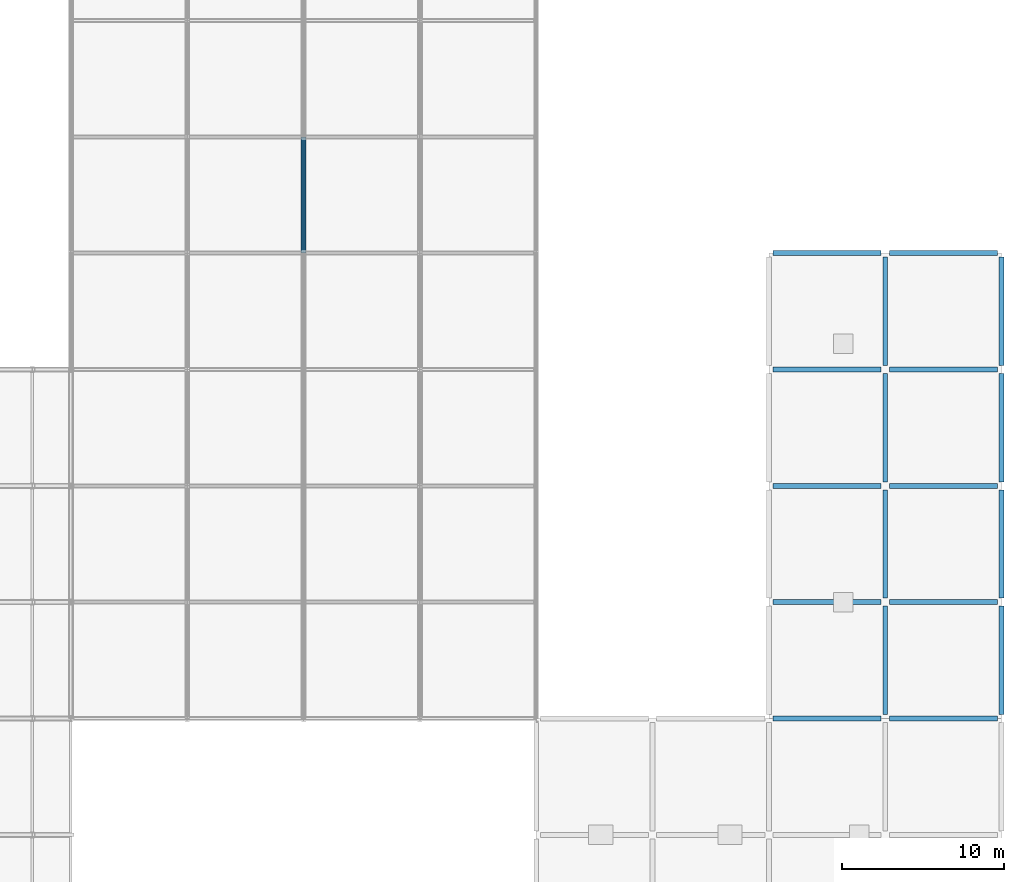
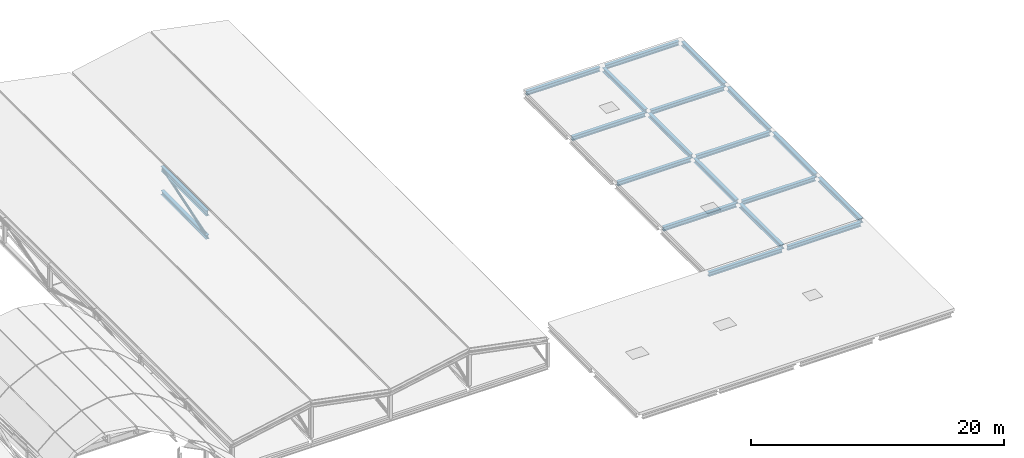
# One storey, part 40 of 60: 18 beams, 3 members.
"""IFC4 building model written with IfcOpenShell, lengths in metres."""

from ifc_helpers import new_model, si_unit, direction, frame, origin, origin_2d, place, context, subcontext, project, spatial, hollow_circle, i_section, extrude, material, material_profile, profile_set, type_object, element, save


model = new_model("IFC4")

# Units and contexts
model_context = context("Model", 3, precision=1e-05, world=origin(), true_north=direction((0.0, 1.0)))
body_context = subcontext(model_context, "Body", "Model", "MODEL_VIEW")
ifc_project = project(units=[si_unit("LENGTHUNIT", "METRE"), si_unit("AREAUNIT", "SQUARE_METRE"), si_unit("VOLUMEUNIT", "CUBIC_METRE"), si_unit("PLANEANGLEUNIT", "RADIAN"), si_unit("MASSUNIT", "GRAM", prefix="KILO")], contexts=[model_context])

# Site, building, storey
site_placement = place(None, origin())
site = spatial("IfcSite", under=ifc_project, at=site_placement, CompositionType="ELEMENT")
building_placement = place(site_placement, origin())
building = spatial("IfcBuilding", under=site, at=building_placement, Name="Vesperath Aquatics Centre", CompositionType="ELEMENT")
storey_placement = place(building_placement, frame((0.0, 0.0, 27.60009765625)))
storey = spatial("IfcBuildingStorey", under=building, at=storey_placement, Name="RF", CompositionType="ELEMENT", Elevation=27.60009765625)

# Beams
ifc_material_1 = material(Name="Steel Q355C", Category="steel")
ifc_material_profile_1 = material_profile(ifc_material_1, i_section(OverallWidth=0.300048828125, OverallDepth=0.389892578125, WebThickness=0.010009765625, FlangeThickness=0.01611328125, FilletRadius=0.02197265625, at=origin_2d()), Name="HM 390x300x10x16")
ifc_profile_set_1 = profile_set([ifc_material_profile_1], Name="Steel Q355C")
beam_type = type_object("IfcBeamType", Name="BM-RB01", PredefinedType="BEAM", material=ifc_profile_set_1)
for number, where, z_axis, x_axis, name in (
    (1, (158.64990234375, 64.800048828125, -8.755126953125), (1.0, 0.0, 0.0), (0.0, 1.0, 0.0), "Flat Roof Girder B11 RF K 23-24"),
    (2, (158.64990234375, 72.0, -8.755126953125), (1.0, 0.0, 0.0), (0.0, 1.0, 0.0), "Flat Roof Girder B11 RF L 23-24"),
    (3, (158.64990234375, 79.199951171875, -8.755126953125), (1.0, 0.0, 0.0), (0.0, 1.0, 0.0), "Flat Roof Girder B11 RF M 23-24"),
    (4, (158.64990234375, 86.39990234375, -8.755126953125), (1.0, 0.0, 0.0), (0.0, 1.0, 0.0), "Flat Roof Girder B11 RF N 23-24"),
    (5, (158.64990234375, 93.60009765625, -8.755126953125), (1.0, 0.0, 0.0), (0.0, 1.0, 0.0), "Flat Roof Girder B11 RF P 23-24"),
):
    element("IfcBeam", number, at=place(storey_placement, frame(where, z_axis=z_axis, x_axis=x_axis)), inside=storey, type_object=beam_type, Name=name, PredefinedType="BEAM", context=body_context, shape_type="SweptSolid", body=[
        extrude(i_section(OverallWidth=0.300048828125, OverallDepth=0.389892578125, WebThickness=0.010009765625, FlangeThickness=0.01611328125, FilletRadius=0.02197265625, at=origin_2d()), origin(), (0.0, 0.0, 1.0), 6.7001953125),
    ])
for number, where, z_axis, x_axis, name in (
    (6, (165.85009765625, 64.800048828125, -8.755126953125), (1.0, 0.0, 0.0), (0.0, 1.0, 0.0), "Flat Roof Girder B11 RF K 24-25"),
    (7, (165.85009765625, 72.0, -8.755126953125), (1.0, 0.0, 0.0), (0.0, 1.0, 0.0), "Flat Roof Girder B11 RF L 24-25"),
    (8, (165.85009765625, 79.199951171875, -8.755126953125), (1.0, 0.0, 0.0), (0.0, 1.0, 0.0), "Flat Roof Girder B11 RF M 24-25"),
    (9, (165.85009765625, 86.39990234375, -8.755126953125), (1.0, 0.0, 0.0), (0.0, 1.0, 0.0), "Flat Roof Girder B11 RF N 24-25"),
    (10, (165.85009765625, 93.60009765625, -8.755126953125), (1.0, 0.0, 0.0), (0.0, 1.0, 0.0), "Flat Roof Girder B11 RF P 24-25"),
    (11, (165.60009765625, 65.050048828125, -8.755126953125), (0.0, 1.0, 0.0), (-1.0, 0.0, 0.0), "Flat Roof Girder B11 RF 24 K-L"),
    (12, (165.60009765625, 72.25, -8.755126953125), (0.0, 1.0, 0.0), (-1.0, 0.0, 0.0), "Flat Roof Girder B11 RF 24 L-M"),
    (13, (165.60009765625, 79.449951171875, -8.755126953125), (0.0, 1.0, 0.0), (-1.0, 0.0, 0.0), "Flat Roof Girder B11 RF 24 M-N"),
):
    element("IfcBeam", number, at=place(storey_placement, frame(where, z_axis=z_axis, x_axis=x_axis)), inside=storey, type_object=beam_type, Name=name, PredefinedType="BEAM", context=body_context, shape_type="SweptSolid", body=[
        extrude(i_section(OverallWidth=0.300048828125, OverallDepth=0.389892578125, WebThickness=0.010009765625, FlangeThickness=0.01611328125, FilletRadius=0.02197265625, at=origin_2d()), origin(), (0.0, 0.0, 1.0), 6.699951171875),
    ])
beam_1_placement = place(storey_placement, frame((165.60009765625, 86.64990234375, -8.755126953125), z_axis=(0.0, 1.0, 0.0), x_axis=(-1.0, 0.0, 0.0)))
element("IfcBeam", 14, at=beam_1_placement, inside=storey, type_object=beam_type, Name="Flat Roof Girder B11 RF 24 N-P", PredefinedType="BEAM", context=body_context, shape_type="SweptSolid", body=[
    extrude(i_section(OverallWidth=0.300048828125, OverallDepth=0.389892578125, WebThickness=0.010009765625, FlangeThickness=0.01611328125, FilletRadius=0.02197265625, at=origin_2d()), origin(), (0.0, 0.0, 1.0), 6.7001953125),
])
for number, where, z_axis, x_axis, name in (
    (15, (172.800048828125, 65.050048828125, -8.755126953125), (0.0, 1.0, 0.0), (-1.0, 0.0, 0.0), "Flat Roof Girder B11 RF 25 K-L"),
    (16, (172.800048828125, 72.25, -8.755126953125), (0.0, 1.0, 0.0), (-1.0, 0.0, 0.0), "Flat Roof Girder B11 RF 25 L-M"),
    (17, (172.800048828125, 79.449951171875, -8.755126953125), (0.0, 1.0, 0.0), (-1.0, 0.0, 0.0), "Flat Roof Girder B11 RF 25 M-N"),
):
    element("IfcBeam", number, at=place(storey_placement, frame(where, z_axis=z_axis, x_axis=x_axis)), inside=storey, type_object=beam_type, Name=name, PredefinedType="BEAM", context=body_context, shape_type="SweptSolid", body=[
        extrude(i_section(OverallWidth=0.300048828125, OverallDepth=0.389892578125, WebThickness=0.010009765625, FlangeThickness=0.01611328125, FilletRadius=0.02197265625, at=origin_2d()), origin(), (0.0, 0.0, 1.0), 6.699951171875),
    ])
beam_2_placement = place(storey_placement, frame((172.800048828125, 86.64990234375, -8.755126953125), z_axis=(0.0, 1.0, 0.0), x_axis=(-1.0, 0.0, 0.0)))
element("IfcBeam", 18, at=beam_2_placement, inside=storey, type_object=beam_type, Name="Flat Roof Girder B11 RF 25 N-P", PredefinedType="BEAM", context=body_context, shape_type="SweptSolid", body=[
    extrude(i_section(OverallWidth=0.300048828125, OverallDepth=0.389892578125, WebThickness=0.010009765625, FlangeThickness=0.01611328125, FilletRadius=0.02197265625, at=origin_2d()), origin(), (0.0, 0.0, 1.0), 6.7001953125),
])

# Members
ifc_material_2 = material(Name="Steel Q355D", Category="steel")
ifc_material_profile_2 = material_profile(ifc_material_2, i_section(OverallWidth=0.300048828125, OverallDepth=0.389892578125, WebThickness=0.010009765625, FlangeThickness=0.01611328125, FilletRadius=0.02197265625, at=origin_2d()), Name="HM 390x300x10x16")
ifc_profile_set_2 = profile_set([ifc_material_profile_2], Name="Steel Q355D")
member_type_1 = type_object("IfcMemberType", Name="MB-BC03", PredefinedType="CHORD", material=ifc_profile_set_2)
member_1_placement = place(storey_placement, frame((129.60009765625, 93.60009765625, -12.5), z_axis=(0.0, 1.0, 0.0), x_axis=(-1.0, 0.0, 0.0)))
element("IfcMember", 19, at=member_1_placement, inside=storey, type_object=member_type_1, Name="Training Hall ROOF TRUSS Bottom Chord BC03 G19-5", PredefinedType="CHORD", context=body_context, shape_type="SweptSolid", body=[
    extrude(i_section(OverallWidth=0.300048828125, OverallDepth=0.389892578125, WebThickness=0.010009765625, FlangeThickness=0.01611328125, FilletRadius=0.02197265625, at=origin_2d()), origin(), (0.0, 0.0, 1.0), 7.199951171875),
])
ifc_material_profile_3 = material_profile(ifc_material_2, i_section(OverallWidth=0.300048828125, OverallDepth=0.488037109375, WebThickness=0.010986328125, FlangeThickness=0.01806640625, FilletRadius=0.02587890625, at=origin_2d()), Name="HM 488x300x11x18")
ifc_profile_set_3 = profile_set([ifc_material_profile_3], Name="Steel Q355D")
member_type_2 = type_object("IfcMemberType", Name="MB-TC04", PredefinedType="CHORD", material=ifc_profile_set_3)
member_2_placement = place(storey_placement, frame((129.60009765625, 93.60009765625, -10.2001953125), z_axis=(0.0, 1.0, 0.0), x_axis=(-1.0, 0.0, 0.0)))
element("IfcMember", 20, at=member_2_placement, inside=storey, type_object=member_type_2, Name="Training Hall ROOF TRUSS Top Chord TC04 G19-5", PredefinedType="CHORD", context=body_context, shape_type="SweptSolid", body=[
    extrude(i_section(OverallWidth=0.300048828125, OverallDepth=0.488037109375, WebThickness=0.010986328125, FlangeThickness=0.01806640625, FilletRadius=0.02587890625, at=origin_2d()), origin(), (0.0, 0.0, 1.0), 7.199951171875),
])
ifc_material_profile_4 = material_profile(ifc_material_2, hollow_circle(Radius=0.109619140625, WallThickness=0.010009765625, at=origin_2d()), Name="CHS 219.1x10")
ifc_profile_set_4 = profile_set([ifc_material_profile_4], Name="Steel Q355D")
member_type_3 = type_object("IfcMemberType", Name="MB-TD04", PredefinedType="BRACE", material=ifc_profile_set_4)
member_3_placement = place(storey_placement, frame((129.60009765625, 93.67626953125, -12.475830078125), z_axis=(0.0, 0.952571930303, 0.304313518594), x_axis=(-1.0, 0.0, 0.0)))
element("IfcMember", 21, at=member_3_placement, inside=storey, type_object=member_type_3, Name="Training Hall ROOF TRUSS Diagonal TD04 G19-5", PredefinedType="BRACE", context=body_context, shape_type="SweptSolid", body=[
    extrude(hollow_circle(Radius=0.109619140625, WallThickness=0.010009765625, at=origin_2d()), origin(), (0.0, 0.0, 1.0), 7.3984375),
])

save(model, "model.ifc")
